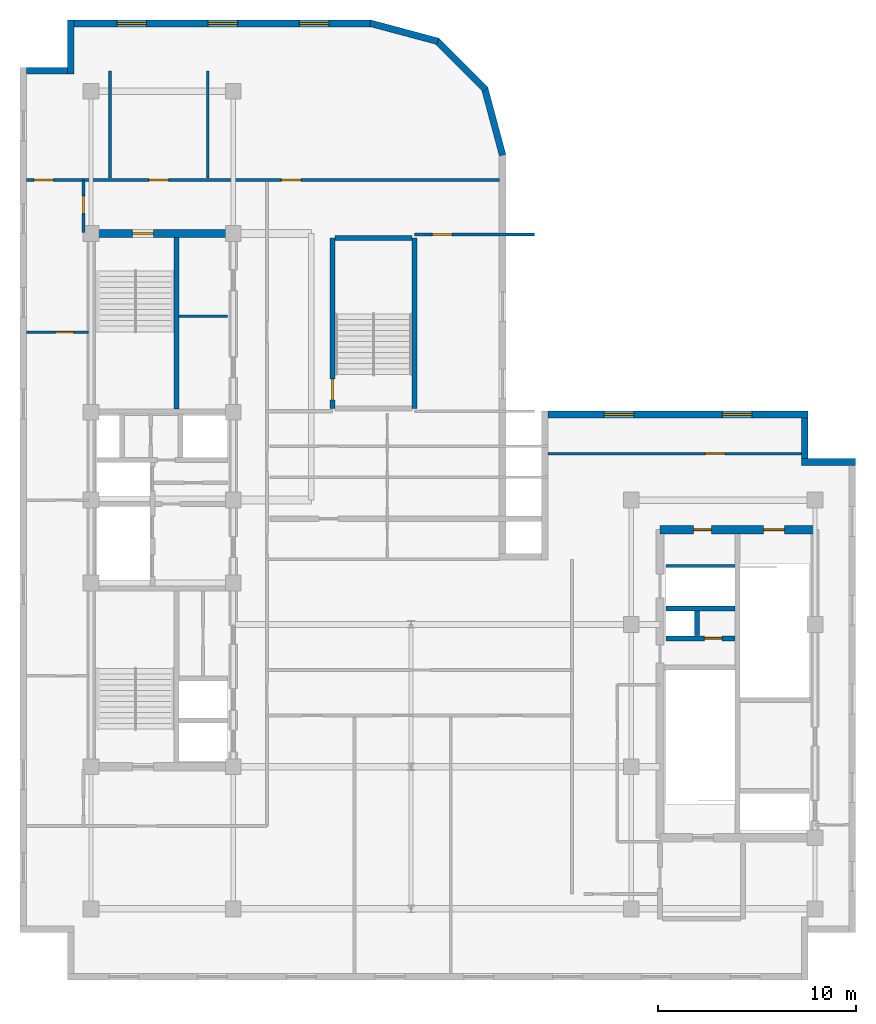
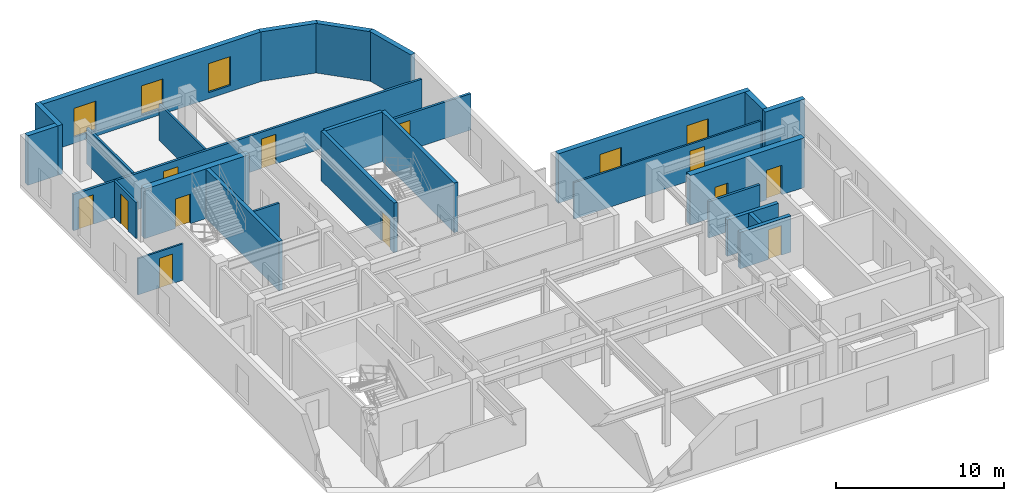
# One storey, part 6 of 10: 27 walls, 12 doors, 5 windows, 17 openings.
"""IFC4 building model written with IfcOpenShell, lengths in metres."""

import ifcopenshell
import ifcopenshell.guid

model = None  # the IFC model being written
_history = None  # IfcOwnerHistory: only IFC2X3 demands one
_inside = {}  # id of a spatial element -> (the spatial element, [elements in it])
_under = {}  # id of a project, library or spatial element -> (it, [spatial elements below it])
_declared = {}  # id of a project -> (the project, [libraries it declares])
_typed = {}  # id of a type object -> (the type object, [elements of that type])
_made_of = {}  # id of a material, layer set ... -> (it, [elements and type objects made of it])


def new_model(schema):
    """Start an empty IFC model of exactly this schema.

    Asked for "IFC4X3", IfcOpenShell would pick the latest addendum, in which some entities
    have other attributes; the version numbers below select the first issue.
    IFC2X3 requires an IfcOwnerHistory on every rooted entity: one is made here for all.
    """
    global model, _history
    if schema == "IFC4X3":
        model = ifcopenshell.file(schema_version=(4, 3, 0, 0))
    else:
        model = ifcopenshell.file(schema=schema)
    _inside.clear()
    _under.clear()
    _declared.clear()
    _typed.clear()
    _made_of.clear()
    _history = None
    if model.schema == "IFC2X3":
        org = make("IfcOrganization", Name="unknown")
        user = make(
            "IfcPersonAndOrganization",
            ThePerson=make("IfcPerson", FamilyName="unknown"),
            TheOrganization=org,
        )
        app = make(
            "IfcApplication",
            ApplicationDeveloper=org,
            Version="unknown",
            ApplicationFullName="unknown",
            ApplicationIdentifier="unknown",
        )
        _history = make(
            "IfcOwnerHistory",
            OwningUser=user,
            OwningApplication=app,
            ChangeAction="ADDED",
            CreationDate=0,
        )
    return model


def make(cls, **values):
    """One entity of the class cls with the attributes given. An attribute that is None is left unset."""
    return model.create_entity(
        cls, **{name: value for name, value in values.items() if value is not None}
    )


def entity(cls, *values):
    """Any entity or typed value of the class cls, its attributes in the order of the schema. None: left unset."""
    e = model.create_entity(cls)
    for i, value in enumerate(values):
        if value is not None:
            e[i] = value
    return e


def rooted(cls, **values):
    """An entity with a GlobalId (a new one), such as an element, a storey or a relation."""
    return make(cls, GlobalId=ifcopenshell.guid.new(), OwnerHistory=_history, **values)


def si_unit(unit_type, name, prefix=None):
    """IfcSIUnit, for example si_unit("LENGTHUNIT", "METRE", prefix="MILLI")."""
    return make("IfcSIUnit", UnitType=unit_type, Prefix=prefix, Name=name)


def converted_unit(unit_type, name, factor, base, dimensions=None, offset=None):
    """IfcConversionBasedUnit, such as the inch: factor (a typed value) times the base unit."""
    return make(
        "IfcConversionBasedUnit"
        if offset is None
        else "IfcConversionBasedUnitWithOffset",
        ConversionOffset=offset,
        Dimensions=None
        if dimensions is None
        else entity("IfcDimensionalExponents", *dimensions),
        UnitType=unit_type,
        Name=name,
        ConversionFactor=make(
            "IfcMeasureWithUnit", ValueComponent=factor, UnitComponent=base
        ),
    )


def assignment(units):
    """IfcUnitAssignment: the units of a project."""
    return None if units is None else make("IfcUnitAssignment", Units=units)


def point(xyz):
    """IfcCartesianPoint."""
    return None if xyz is None else make("IfcCartesianPoint", Coordinates=xyz)


def direction(xyz):
    """IfcDirection."""
    return None if xyz is None else make("IfcDirection", DirectionRatios=xyz)


def frame(location, z_axis=None, x_axis=None):
    """IfcAxis2Placement3D, a coordinate frame: its origin and axes. An axis left out is left unset."""
    return make(
        "IfcAxis2Placement3D",
        Location=point(location),
        Axis=direction(z_axis),
        RefDirection=direction(x_axis),
    )


def frame_2d(location, x_axis=None):
    """IfcAxis2Placement2D, a coordinate frame in the plane: its origin and x axis."""
    return make(
        "IfcAxis2Placement2D", Location=point(location), RefDirection=direction(x_axis)
    )


def origin_with_axes():
    """The frame at (0, 0, 0) with the z axis (0, 0, 1) and the x axis (1, 0, 0) written out."""
    return frame((0.0, 0.0, 0.0), z_axis=(0.0, 0.0, 1.0), x_axis=(1.0, 0.0, 0.0))


def origin_2d_with_axis():
    """The frame at (0, 0) in the plane with the x axis (1, 0) written out."""
    return frame_2d((0.0, 0.0), x_axis=(1.0, 0.0))


def place(relative_to, where):
    """IfcLocalPlacement: puts the frame where relative to a parent placement (None: the world)."""
    return make(
        "IfcLocalPlacement", PlacementRelTo=relative_to, RelativePlacement=where
    )


def context(
    kind, dimensions, precision=None, world=None, true_north=None, identifier=None
):
    """IfcGeometricRepresentationContext, for example the 3D "Model" context."""
    return make(
        "IfcGeometricRepresentationContext",
        ContextIdentifier=identifier,
        ContextType=kind,
        CoordinateSpaceDimension=dimensions,
        Precision=precision,
        WorldCoordinateSystem=world,
        TrueNorth=true_north,
    )


def subcontext(parent, identifier, kind, view, scale=None):
    """IfcGeometricRepresentationSubContext, for example "Body" below "Model"."""
    return make(
        "IfcGeometricRepresentationSubContext",
        ContextIdentifier=identifier,
        ContextType=kind,
        ParentContext=parent,
        TargetScale=scale,
        TargetView=view,
    )


def project(units=None, contexts=None):
    """IfcProject with its units and contexts."""
    return rooted(
        "IfcProject",
        Name="project",
        RepresentationContexts=contexts,
        UnitsInContext=assignment(units),
    )


def spatial(cls, under=None, at=None, **own):
    """A site, building, storey or space (cls), placed at a placement, below another one or the project."""
    s = rooted(cls, ObjectPlacement=at, **own)
    if under is not None:
        _under.setdefault(under.id(), (under, []))[1].append(s)
    return s


def polyline(points):
    """IfcPolyline through the points."""
    return make("IfcPolyline", Points=[point(p) for p in points])


def profile(cls, at=None, kind="AREA", **sizes):
    """A parametric profile (cls). Its sizes go by their IFC names, for example OverallWidth=200.0."""
    return make(cls, ProfileType=kind, Position=at, **sizes)


def rectangle(**sizes):
    """IfcRectangleProfileDef."""
    return profile("IfcRectangleProfileDef", **sizes)


def outline(outer, holes=None, kind="AREA"):
    """IfcArbitraryClosedProfileDef: a profile drawn as a closed curve; with holes, ...WithVoids."""
    if holes is None:
        return make("IfcArbitraryClosedProfileDef", ProfileType=kind, OuterCurve=outer)
    return make(
        "IfcArbitraryProfileDefWithVoids",
        ProfileType=kind,
        OuterCurve=outer,
        InnerCurves=holes,
    )


def extrude(swept, where, along, depth):
    """IfcExtrudedAreaSolid: the profile swept, set in the frame where, extruded along a direction by depth."""
    return make(
        "IfcExtrudedAreaSolid",
        SweptArea=swept,
        Position=where,
        ExtrudedDirection=direction(along),
        Depth=depth,
    )


def shape(context_of_items, identifier, shape_type, items):
    """IfcShapeRepresentation: the items that make up one representation, for example the "Body"."""
    return make(
        "IfcShapeRepresentation",
        ContextOfItems=context_of_items,
        RepresentationIdentifier=identifier,
        RepresentationType=shape_type,
        Items=items,
    )


def material(Name=None, Category=None):
    """IfcMaterial."""
    return make("IfcMaterial", Name=Name, Category=Category)


def layer(
    of_material, thickness, ventilated=None, Name=None, Category=None, Priority=None
):
    """IfcMaterialLayer: one layer of a wall or slab, of a material (None: an air gap)."""
    return make(
        "IfcMaterialLayer",
        Material=of_material,
        LayerThickness=thickness,
        IsVentilated=ventilated,
        Name=Name,
        Category=Category,
        Priority=Priority,
    )


def layer_set(layers, Name=None):
    """IfcMaterialLayerSet."""
    return make("IfcMaterialLayerSet", MaterialLayers=layers, LayerSetName=Name)


def made_of(thing, what):
    """Note that an element or type object is made of a material, layer set ...; save() writes the relation."""
    if what is not None:
        _made_of.setdefault(what.id(), (what, []))[1].append(thing)
    return thing


def type_object(cls, material=None, **own):
    """A type object (cls), such as IfcWallType, which elements share."""
    return made_of(rooted(cls, **own), material)


def element(
    cls,
    number,
    at=None,
    inside=None,
    cuts=None,
    type_object=None,
    material=None,
    context=None,
    identifier="Body",
    shape_type=None,
    held_by="IfcProductDefinitionShape",
    body=None,
    shapes=None,
    **own,
):
    """One element of the class cls, such as IfcWall. Its Tag is "e" and its number.

    at: its placement. inside: the storey or other place that contains it. cuts: it is an
    opening in that element (IfcRelVoidsElement). A single representation is given by context,
    identifier, shape_type and body (its items); several are given by shapes. held_by: the class
    of the entity that holds the representations. save() writes the other relations.
    """
    e = rooted(cls, Tag="e%d" % number, ObjectPlacement=at, **own)
    if body is not None:
        shapes = [shape(context, identifier, shape_type, body)]
    if shapes is not None:
        e.Representation = make(held_by, Representations=shapes)
    if inside is not None:
        _inside.setdefault(inside.id(), (inside, []))[1].append(e)
    if cuts is not None:
        rooted(
            "IfcRelVoidsElement", RelatingBuildingElement=cuts, RelatedOpeningElement=e
        )
    if type_object is not None:
        _typed.setdefault(type_object.id(), (type_object, []))[1].append(e)
    return made_of(e, material)


def fill(opening, filler):
    """IfcRelFillsElement: the door or window that sits in an opening."""
    return rooted(
        "IfcRelFillsElement",
        RelatingOpeningElement=opening,
        RelatedBuildingElement=filler,
    )


def aggregate(whole, parts):
    """IfcRelAggregates: a whole, such as a stair, and the parts it consists of."""
    return rooted("IfcRelAggregates", RelatingObject=whole, RelatedObjects=parts)


def save(model, path):
    """Write the relations noted so far, then the file.

    IfcRelAggregates (storeys below a building ...), IfcRelContainedInSpatialStructure (elements
    in a storey), IfcRelDefinesByType, IfcRelAssociatesMaterial and IfcRelDeclares: one each for
    every whole, place, type object, material and project.
    """
    for whole, parts in _under.values():
        aggregate(whole, parts)
    for where, things in _inside.values():
        rooted(
            "IfcRelContainedInSpatialStructure",
            RelatedElements=things,
            RelatingStructure=where,
        )
    for kind, things in _typed.values():
        rooted("IfcRelDefinesByType", RelatedObjects=things, RelatingType=kind)
    for what, things in _made_of.values():
        rooted("IfcRelAssociatesMaterial", RelatedObjects=things, RelatingMaterial=what)
    for by, libraries in _declared.values():
        rooted("IfcRelDeclares", RelatingContext=by, RelatedDefinitions=libraries)
    model.write(path)


model = new_model("IFC4")

# Units and contexts
model_context = context("Model", 3, precision=1e-05, world=origin_with_axes(), true_north=direction((0.0, 1.0)))
body_context = subcontext(model_context, "Body", "Model", "MODEL_VIEW")
ifc_project = project(units=[si_unit("LENGTHUNIT", "METRE"), si_unit("AREAUNIT", "SQUARE_METRE"), si_unit("VOLUMEUNIT", "CUBIC_METRE"), converted_unit("PLANEANGLEUNIT", "DEGREE", entity("IfcPlaneAngleMeasure", 0.017453292519943295), si_unit("PLANEANGLEUNIT", "RADIAN"), dimensions=[0, 0, 0, 0, 0, 0, 0]), si_unit("MASSUNIT", "GRAM", prefix="KILO"), si_unit("THERMODYNAMICTEMPERATUREUNIT", "KELVIN")], contexts=[model_context])

# Site, building, storey
site_placement = place(None, origin_with_axes())
site = spatial("IfcSite", under=ifc_project, at=site_placement, CompositionType="ELEMENT")
building_placement = place(site_placement, origin_with_axes())
building = spatial("IfcBuilding", under=site, at=building_placement, Name="Varnlund Millrace Tower", CompositionType="ELEMENT")
storey_placement = place(building_placement, frame((0.0, 0.0, 284.1), z_axis=(0.0, 0.0, 1.0), x_axis=(1.0, 0.0, 0.0)))
storey = spatial("IfcBuildingStorey", under=building, at=storey_placement, Name="L70", CompositionType="ELEMENT", Elevation=284.1)

# Wall, opening, door
ifc_material_1 = material(Name="Concrete C60/75", Category="concrete")
ifc_layer_1 = layer(ifc_material_1, 0.42, Name="Concrete C60/75")
ifc_layer_set_1 = layer_set([ifc_layer_1], Name="Concrete C60/75")
wall_type_1 = type_object("IfcWallType", Name="Type-CoreWall-Shear-420-C60", PredefinedType="SHEAR", material=ifc_layer_set_1)
wall_1_placement = place(storey_placement, frame((11.4, 37.8, 0.0), z_axis=(0.0, 0.0, 1.0), x_axis=(1.0, 0.0, 0.0)))
wall_1 = element("IfcWall", 1, at=wall_1_placement, inside=storey, type_object=wall_type_1, Name="Type-CoreWall-Shear-420-C60", PredefinedType="SHEAR", context=body_context, shape_type="SweptSolid", body=[
    extrude(outline(polyline([(0.0, -0.21), (7.2, -0.21), (7.2, 0.21), (0.0, 0.21), (0.0, -0.21)])), origin_with_axes(), (0.0, 0.0, 1.0), 3.6),
])
opening_1_placement = place(wall_1_placement, frame((2.625, 0.0, 0.0), z_axis=(0.0, 0.0, 1.0), x_axis=(1.0, 0.0, 0.0)))
opening_1 = element("IfcOpeningElement", 2, at=opening_1_placement, cuts=wall_1, Name="Opening L70:DR-STA2", PredefinedType="OPENING", context=body_context, shape_type="SweptSolid", body=[
    extrude(rectangle(XDim=1.05, YDim=0.44, at=origin_2d_with_axis()), origin_with_axes(), (0.0, 0.0, 1.0), 2.15),
])
ifc_material_2 = material(Name="Fire-rated hollow steel door", Category="steel")
door_type_1 = type_object("IfcDoorType", Name="Type-FireDoor-Stair-1050X2150", OperationType="NOTDEFINED", PredefinedType="DOOR", material=ifc_material_2)
door_1_placement = place(wall_1_placement, frame((2.625, 0.0, 0.0), z_axis=(0.0, 0.0, 1.0), x_axis=(1.0, 0.0, 0.0)))
door_1 = element("IfcDoor", 3, at=door_1_placement, inside=storey, type_object=door_type_1, Name="Type-FireDoor-Stair-1050X2150", OperationType="SINGLE_SWING_RIGHT", OverallHeight=2.15, OverallWidth=1.05, PredefinedType="DOOR", context=body_context, shape_type="SweptSolid", body=[
    extrude(rectangle(XDim=1.05, YDim=0.09, at=origin_2d_with_axis()), origin_with_axes(), (0.0, 0.0, 1.0), 2.15),
])
fill(opening_1, door_1)

# Wall, openings, doors
wall_2_placement = place(storey_placement, frame((40.2, 22.8, 0.0), z_axis=(0.0, 0.0, 1.0), x_axis=(1.0, 0.0, 0.0)))
wall_2 = element("IfcWall", 4, at=wall_2_placement, inside=storey, type_object=wall_type_1, Name="Type-CoreWall-Shear-420-C60", PredefinedType="SHEAR", context=body_context, shape_type="SweptSolid", body=[
    extrude(outline(polyline([(0.0, -0.21), (7.85, -0.21), (7.85, 0.21), (0.0, 0.21), (0.0, -0.21)])), origin_with_axes(), (0.0, 0.0, 1.0), 3.6),
])
opening_2_placement = place(wall_2_placement, frame((5.775, 0.0, 0.0), z_axis=(0.0, 0.0, 1.0), x_axis=(1.0, 0.0, 0.0)))
opening_2 = element("IfcOpeningElement", 5, at=opening_2_placement, cuts=wall_2, Name="Opening L70:DR-STB2", PredefinedType="OPENING", context=body_context, shape_type="SweptSolid", body=[
    extrude(rectangle(XDim=1.05, YDim=0.44, at=origin_2d_with_axis()), origin_with_axes(), (0.0, 0.0, 1.0), 2.15),
])
opening_3_placement = place(wall_2_placement, frame((2.15, 0.0, 0.0), z_axis=(0.0, 0.0, 1.0), x_axis=(1.0, 0.0, 0.0)))
opening_3 = element("IfcOpeningElement", 6, at=opening_3_placement, cuts=wall_2, Name="Opening L70:DR-CB-NW", PredefinedType="OPENING", context=body_context, shape_type="SweptSolid", body=[
    extrude(rectangle(XDim=0.9, YDim=0.44, at=origin_2d_with_axis()), origin_with_axes(), (0.0, 0.0, 1.0), 2.15),
])
ifc_material_3 = material(Name="Fire-rated hollow steel service closet door", Category="steel")
door_type_2 = type_object("IfcDoorType", Name="Type-FireDoor-Closet-900X2150", OperationType="NOTDEFINED", PredefinedType="DOOR", material=ifc_material_3)
door_2_placement = place(wall_2_placement, frame((2.15, 0.0, 0.0), z_axis=(0.0, 0.0, 1.0), x_axis=(1.0, 0.0, 0.0)))
door_2 = element("IfcDoor", 7, at=door_2_placement, inside=storey, type_object=door_type_2, Name="Type-FireDoor-Closet-900X2150", OperationType="SINGLE_SWING_LEFT", OverallHeight=2.15, OverallWidth=0.9, PredefinedType="DOOR", context=body_context, shape_type="SweptSolid", body=[
    extrude(rectangle(XDim=0.9, YDim=0.09, at=origin_2d_with_axis()), origin_with_axes(), (0.0, 0.0, 1.0), 2.15),
])
fill(opening_3, door_2)
door_3_placement = place(wall_2_placement, frame((5.775, 0.0, 0.0), z_axis=(0.0, 0.0, 1.0), x_axis=(1.0, 0.0, 0.0)))
door_3 = element("IfcDoor", 8, at=door_3_placement, inside=storey, type_object=door_type_1, Name="Type-FireDoor-Stair-1050X2150", OperationType="SINGLE_SWING_RIGHT", OverallHeight=2.15, OverallWidth=1.05, PredefinedType="DOOR", context=body_context, shape_type="SweptSolid", body=[
    extrude(rectangle(XDim=1.05, YDim=0.09, at=origin_2d_with_axis()), origin_with_axes(), (0.0, 0.0, 1.0), 2.15),
])
fill(opening_2, door_3)

# Wall, openings, windows
ifc_material_4 = material(Name="Precast concrete C50/60", Category="concrete")
ifc_layer_2 = layer(ifc_material_4, 0.34, Name="Precast concrete C50/60")
ifc_layer_set_2 = layer_set([ifc_layer_2], Name="Precast concrete C50/60")
wall_type_2 = type_object("IfcWallType", Name="Type-ExtWall-Precast-Upper-340", PredefinedType="SOLIDWALL", material=ifc_layer_set_2)
wall_3_placement = place(storey_placement, frame((34.54, 28.63, 0.0), z_axis=(0.0, 0.0, 1.0), x_axis=(1.0, 0.0, 0.0)))
wall_3 = element("IfcWall", 9, at=wall_3_placement, inside=storey, type_object=wall_type_2, Name="Type-ExtWall-Precast-Upper-340", PredefinedType="SOLIDWALL", context=body_context, shape_type="SweptSolid", body=[
    extrude(outline(polyline([(0.0, -0.17), (13.16, -0.17), (13.16, 0.17), (0.0, 0.17), (0.0, -0.17)])), origin_with_axes(), (0.0, 0.0, 1.0), 3.6),
])
opening_4_placement = place(wall_3_placement, frame((3.59, 0.0, 0.45), z_axis=(0.0, 0.0, 1.0), x_axis=(1.0, 0.0, 0.0)))
opening_4 = element("IfcOpeningElement", 10, at=opening_4_placement, cuts=wall_3, Name="Opening L70:WN-01", PredefinedType="OPENING", context=body_context, shape_type="SweptSolid", body=[
    extrude(rectangle(XDim=1.5, YDim=0.36, at=origin_2d_with_axis()), origin_with_axes(), (0.0, 0.0, 1.0), 2.1),
])
opening_5_placement = place(wall_3_placement, frame((9.57, 0.0, 0.45), z_axis=(0.0, 0.0, 1.0), x_axis=(1.0, 0.0, 0.0)))
opening_5 = element("IfcOpeningElement", 11, at=opening_5_placement, cuts=wall_3, Name="Opening L70:WN-02", PredefinedType="OPENING", context=body_context, shape_type="SweptSolid", body=[
    extrude(rectangle(XDim=1.5, YDim=0.36, at=origin_2d_with_axis()), origin_with_axes(), (0.0, 0.0, 1.0), 2.1),
])
ifc_material_5 = material(Name="Argon low-e triple glazing in thermally broken bronze frame", Category="glass")
window_type = type_object("IfcWindowType", Name="Type-Window-Punched-1500X2100", PartitioningType="SINGLE_PANEL", PredefinedType="WINDOW", material=ifc_material_5)
window_1_placement = place(wall_3_placement, frame((3.59, 0.0, 0.45), z_axis=(0.0, 0.0, 1.0), x_axis=(1.0, 0.0, 0.0)))
window_1 = element("IfcWindow", 12, at=window_1_placement, inside=storey, type_object=window_type, Name="Type-Window-Punched-1500X2100", OverallHeight=2.1, OverallWidth=1.5, PredefinedType="WINDOW", context=body_context, shape_type="SweptSolid", body=[
    extrude(rectangle(XDim=1.5, YDim=0.09, at=origin_2d_with_axis()), origin_with_axes(), (0.0, 0.0, 1.0), 2.1),
])
fill(opening_4, window_1)
window_2_placement = place(wall_3_placement, frame((9.57, 0.0, 0.45), z_axis=(0.0, 0.0, 1.0), x_axis=(1.0, 0.0, 0.0)))
window_2 = element("IfcWindow", 13, at=window_2_placement, inside=storey, type_object=window_type, Name="Type-Window-Punched-1500X2100", OverallHeight=2.1, OverallWidth=1.5, PredefinedType="WINDOW", context=body_context, shape_type="SweptSolid", body=[
    extrude(rectangle(XDim=1.5, YDim=0.09, at=origin_2d_with_axis()), origin_with_axes(), (0.0, 0.0, 1.0), 2.1),
])
fill(opening_5, window_2)

# Walls
wall_4_placement = place(storey_placement, frame((47.53, 28.46, 0.0), z_axis=(0.0, 0.0, 1.0), x_axis=(0.0, -1.0, 0.0)))
element("IfcWall", 14, at=wall_4_placement, inside=storey, type_object=wall_type_2, Name="Type-ExtWall-Precast-Upper-340", PredefinedType="SOLIDWALL", context=body_context, shape_type="SweptSolid", body=[
    extrude(outline(polyline([(0.0, -0.17), (2.06, -0.17), (2.06, 0.17), (0.0, 0.17), (0.0, -0.17)])), origin_with_axes(), (0.0, 0.0, 1.0), 3.6),
])
wall_5_placement = place(storey_placement, frame((47.36, 26.23, 0.0), z_axis=(0.0, 0.0, 1.0), x_axis=(1.0, 0.0, 0.0)))
element("IfcWall", 15, at=wall_5_placement, inside=storey, type_object=wall_type_2, Name="Type-ExtWall-Precast-Upper-340", PredefinedType="SOLIDWALL", context=body_context, shape_type="SweptSolid", body=[
    extrude(outline(polyline([(0.0, -0.17), (2.74, -0.17), (2.74, 0.17), (0.0, 0.17), (0.0, -0.17)])), origin_with_axes(), (0.0, 0.0, 1.0), 3.6),
])
wall_6_placement = place(storey_placement, frame((8.14, 46.03, 0.0), z_axis=(0.0, 0.0, 1.0), x_axis=(1.0, 0.0, 0.0)))
element("IfcWall", 16, at=wall_6_placement, inside=storey, type_object=wall_type_2, Name="Type-ExtWall-Precast-Upper-340", PredefinedType="SOLIDWALL", context=body_context, shape_type="SweptSolid", body=[
    extrude(outline(polyline([(0.0, -0.17), (2.06, -0.17), (2.06, 0.17), (0.0, 0.17), (0.0, -0.17)])), origin_with_axes(), (0.0, 0.0, 1.0), 3.6),
])
wall_7_placement = place(storey_placement, frame((10.37, 45.86, 0.0), z_axis=(0.0, 0.0, 1.0), x_axis=(0.0, 1.0, 0.0)))
element("IfcWall", 17, at=wall_7_placement, inside=storey, type_object=wall_type_2, Name="Type-ExtWall-Precast-Upper-340", PredefinedType="SOLIDWALL", context=body_context, shape_type="SweptSolid", body=[
    extrude(outline(polyline([(0.0, -0.17), (2.74, -0.17), (2.74, 0.17), (0.0, 0.17), (0.0, -0.17)])), origin_with_axes(), (0.0, 0.0, 1.0), 3.6),
])

# Wall, openings, windows
wall_8_placement = place(storey_placement, frame((10.54, 48.43, 0.0), z_axis=(0.0, 0.0, 1.0), x_axis=(1.0, 0.0, 0.0)))
wall_8 = element("IfcWall", 18, at=wall_8_placement, inside=storey, type_object=wall_type_2, Name="Type-ExtWall-Precast-Upper-340", PredefinedType="SOLIDWALL", context=body_context, shape_type="SweptSolid", body=[
    extrude(outline(polyline([(0.0, -0.17), (15.06, -0.17), (15.06, 0.17), (0.0, 0.17), (0.0, -0.17)])), origin_with_axes(), (0.0, 0.0, 1.0), 3.6),
])
opening_6_placement = place(wall_8_placement, frame((2.91, 0.0, 0.45), z_axis=(0.0, 0.0, 1.0), x_axis=(1.0, 0.0, 0.0)))
opening_6 = element("IfcOpeningElement", 19, at=opening_6_placement, cuts=wall_8, Name="Opening L70:WN-23", PredefinedType="OPENING", context=body_context, shape_type="SweptSolid", body=[
    extrude(rectangle(XDim=1.5, YDim=0.36, at=origin_2d_with_axis()), origin_with_axes(), (0.0, 0.0, 1.0), 2.1),
])
opening_7_placement = place(wall_8_placement, frame((7.53, 0.0, 0.45), z_axis=(0.0, 0.0, 1.0), x_axis=(1.0, 0.0, 0.0)))
opening_7 = element("IfcOpeningElement", 20, at=opening_7_placement, cuts=wall_8, Name="Opening L70:WN-24", PredefinedType="OPENING", context=body_context, shape_type="SweptSolid", body=[
    extrude(rectangle(XDim=1.5, YDim=0.36, at=origin_2d_with_axis()), origin_with_axes(), (0.0, 0.0, 1.0), 2.1),
])
opening_8_placement = place(wall_8_placement, frame((12.15, 0.0, 0.45), z_axis=(0.0, 0.0, 1.0), x_axis=(1.0, 0.0, 0.0)))
opening_8 = element("IfcOpeningElement", 21, at=opening_8_placement, cuts=wall_8, Name="Opening L70:WN-25", PredefinedType="OPENING", context=body_context, shape_type="SweptSolid", body=[
    extrude(rectangle(XDim=1.5, YDim=0.36, at=origin_2d_with_axis()), origin_with_axes(), (0.0, 0.0, 1.0), 2.1),
])
window_3_placement = place(wall_8_placement, frame((2.91, 0.0, 0.45), z_axis=(0.0, 0.0, 1.0), x_axis=(1.0, 0.0, 0.0)))
window_3 = element("IfcWindow", 22, at=window_3_placement, inside=storey, type_object=window_type, Name="Type-Window-Punched-1500X2100", OverallHeight=2.1, OverallWidth=1.5, PredefinedType="WINDOW", context=body_context, shape_type="SweptSolid", body=[
    extrude(rectangle(XDim=1.5, YDim=0.09, at=origin_2d_with_axis()), origin_with_axes(), (0.0, 0.0, 1.0), 2.1),
])
fill(opening_6, window_3)
window_4_placement = place(wall_8_placement, frame((7.53, 0.0, 0.45), z_axis=(0.0, 0.0, 1.0), x_axis=(1.0, 0.0, 0.0)))
window_4 = element("IfcWindow", 23, at=window_4_placement, inside=storey, type_object=window_type, Name="Type-Window-Punched-1500X2100", OverallHeight=2.1, OverallWidth=1.5, PredefinedType="WINDOW", context=body_context, shape_type="SweptSolid", body=[
    extrude(rectangle(XDim=1.5, YDim=0.09, at=origin_2d_with_axis()), origin_with_axes(), (0.0, 0.0, 1.0), 2.1),
])
fill(opening_7, window_4)
window_5_placement = place(wall_8_placement, frame((12.15, 0.0, 0.45), z_axis=(0.0, 0.0, 1.0), x_axis=(1.0, 0.0, 0.0)))
window_5 = element("IfcWindow", 24, at=window_5_placement, inside=storey, type_object=window_type, Name="Type-Window-Punched-1500X2100", OverallHeight=2.1, OverallWidth=1.5, PredefinedType="WINDOW", context=body_context, shape_type="SweptSolid", body=[
    extrude(rectangle(XDim=1.5, YDim=0.09, at=origin_2d_with_axis()), origin_with_axes(), (0.0, 0.0, 1.0), 2.1),
])
fill(opening_8, window_5)

# Walls
wall_9_placement = place(storey_placement, frame((25.537, 48.441, 0.0), z_axis=(0.0, 0.0, 1.0), x_axis=(0.965934, -0.258788, 0.0)))
element("IfcWall", 25, at=wall_9_placement, inside=storey, type_object=wall_type_2, Name="Type-ExtWall-Precast-Upper-340", PredefinedType="SOLIDWALL", context=body_context, shape_type="SweptSolid", body=[
    extrude(outline(polyline([(0.0, -0.17), (3.539579, -0.17), (3.539579, 0.17), (0.0, 0.17), (0.0, -0.17)])), origin_with_axes(), (0.0, 0.0, 1.0), 3.6),
])
wall_10_placement = place(storey_placement, frame((28.866, 47.583, 0.0), z_axis=(0.0, 0.0, 1.0), x_axis=(0.707107, -0.707107, 0.0)))
element("IfcWall", 26, at=wall_10_placement, inside=storey, type_object=wall_type_2, Name="Type-ExtWall-Precast-Upper-340", PredefinedType="SOLIDWALL", context=body_context, shape_type="SweptSolid", body=[
    extrude(outline(polyline([(0.0, -0.17), (3.539777, -0.17), (3.539777, 0.17), (0.0, 0.17), (0.0, -0.17)])), origin_with_axes(), (0.0, 0.0, 1.0), 3.6),
])
wall_11_placement = place(storey_placement, frame((31.32, 45.175, 0.0), z_axis=(0.0, 0.0, 1.0), x_axis=(0.258788, -0.965934, 0.0)))
element("IfcWall", 27, at=wall_11_placement, inside=storey, type_object=wall_type_2, Name="Type-ExtWall-Precast-Upper-340", PredefinedType="SOLIDWALL", context=body_context, shape_type="SweptSolid", body=[
    extrude(outline(polyline([(0.0, -0.17), (3.539579, -0.17), (3.539579, 0.17), (0.0, 0.17), (0.0, -0.17)])), origin_with_axes(), (0.0, 0.0, 1.0), 3.6),
])
ifc_material_6 = material(Name="Fire-rated gypsum board on cold-formed steel framing", Category="steel")
ifc_layer_3 = layer(ifc_material_6, 0.16, Name="Fire-rated gypsum board on cold-formed steel framing")
ifc_layer_set_3 = layer_set([ifc_layer_3], Name="Fire-rated gypsum board on cold-formed steel framing")
wall_type_3 = type_object("IfcWallType", Name="Type-Partition-Corridor-160", PredefinedType="PARTITIONING", material=ifc_layer_set_3)
wall_12_placement = place(storey_placement, frame((40.5, 20.96, 0.0), z_axis=(0.0, 0.0, 1.0), x_axis=(1.0, 0.0, 0.0)))
element("IfcWall", 28, at=wall_12_placement, inside=storey, type_object=wall_type_3, Name="Type-Partition-Corridor-160", PredefinedType="PARTITIONING", context=body_context, shape_type="SweptSolid", body=[
    extrude(outline(polyline([(0.0, -0.08), (3.5, -0.08), (3.5, 0.08), (0.0, 0.08), (0.0, -0.08)])), origin_with_axes(), (0.0, 0.0, 1.0), 2.64),
])

# Wall, openings, doors
wall_13_placement = place(storey_placement, frame((8.135, 40.5, 0.0), z_axis=(0.0, 0.0, 1.0), x_axis=(1.0, 0.0, 0.0)))
wall_13 = element("IfcWall", 29, at=wall_13_placement, inside=storey, type_object=wall_type_3, Name="Type-Partition-Corridor-160", PredefinedType="PARTITIONING", context=body_context, shape_type="SweptSolid", body=[
    extrude(outline(polyline([(0.0, -0.08), (23.93, -0.08), (23.93, 0.08), (0.0, 0.08), (0.0, -0.08)])), origin_with_axes(), (0.0, 0.0, 1.0), 2.64),
])
opening_9_placement = place(wall_13_placement, frame((0.868, 0.0, 0.0), z_axis=(0.0, 0.0, 1.0), x_axis=(1.0, 0.0, 0.0)))
opening_9 = element("IfcOpeningElement", 30, at=opening_9_placement, cuts=wall_13, Name="Opening L70:DR-WAN-01", PredefinedType="OPENING", context=body_context, shape_type="SweptSolid", body=[
    extrude(rectangle(XDim=1.0, YDim=0.18, at=origin_2d_with_axis()), origin_with_axes(), (0.0, 0.0, 1.0), 2.15),
])
opening_10_placement = place(wall_13_placement, frame((6.6955, 0.0, 0.0), z_axis=(0.0, 0.0, 1.0), x_axis=(1.0, 0.0, 0.0)))
opening_10 = element("IfcOpeningElement", 31, at=opening_10_placement, cuts=wall_13, Name="Opening L70:DR-WAN-02", PredefinedType="OPENING", context=body_context, shape_type="SweptSolid", body=[
    extrude(rectangle(XDim=1.0, YDim=0.18, at=origin_2d_with_axis()), origin_with_axes(), (0.0, 0.0, 1.0), 2.15),
])
opening_11_placement = place(wall_13_placement, frame((13.403, 0.0, 0.0), z_axis=(0.0, 0.0, 1.0), x_axis=(1.0, 0.0, 0.0)))
opening_11 = element("IfcOpeningElement", 32, at=opening_11_placement, cuts=wall_13, Name="Opening L70:DR-WAN-03", PredefinedType="OPENING", context=body_context, shape_type="SweptSolid", body=[
    extrude(rectangle(XDim=1.0, YDim=0.18, at=origin_2d_with_axis()), origin_with_axes(), (0.0, 0.0, 1.0), 2.15),
])
ifc_material_7 = material(Name="Solid-core white oak and bronze frame door")
door_type_3 = type_object("IfcDoorType", Name="Type-IntDoor-Office-1000X2150", OperationType="NOTDEFINED", PredefinedType="DOOR", material=ifc_material_7)
door_4_placement = place(wall_13_placement, frame((0.868, 0.0, 0.0), z_axis=(0.0, 0.0, 1.0), x_axis=(1.0, 0.0, 0.0)))
door_4 = element("IfcDoor", 33, at=door_4_placement, inside=storey, type_object=door_type_3, Name="Type-IntDoor-Office-1000X2150", OperationType="SINGLE_SWING_LEFT", OverallHeight=2.15, OverallWidth=1.0, PredefinedType="DOOR", context=body_context, shape_type="SweptSolid", body=[
    extrude(rectangle(XDim=1.0, YDim=0.09, at=origin_2d_with_axis()), origin_with_axes(), (0.0, 0.0, 1.0), 2.15),
])
fill(opening_9, door_4)
door_5_placement = place(wall_13_placement, frame((6.6955, 0.0, 0.0), z_axis=(0.0, 0.0, 1.0), x_axis=(1.0, 0.0, 0.0)))
door_5 = element("IfcDoor", 34, at=door_5_placement, inside=storey, type_object=door_type_3, Name="Type-IntDoor-Office-1000X2150", OperationType="SINGLE_SWING_RIGHT", OverallHeight=2.15, OverallWidth=1.0, PredefinedType="DOOR", context=body_context, shape_type="SweptSolid", body=[
    extrude(rectangle(XDim=1.0, YDim=0.09, at=origin_2d_with_axis()), origin_with_axes(), (0.0, 0.0, 1.0), 2.15),
])
fill(opening_10, door_5)
door_6_placement = place(wall_13_placement, frame((13.403, 0.0, 0.0), z_axis=(0.0, 0.0, 1.0), x_axis=(1.0, 0.0, 0.0)))
door_6 = element("IfcDoor", 35, at=door_6_placement, inside=storey, type_object=door_type_3, Name="Type-IntDoor-Office-1000X2150", OperationType="SINGLE_SWING_LEFT", OverallHeight=2.15, OverallWidth=1.0, PredefinedType="DOOR", context=body_context, shape_type="SweptSolid", body=[
    extrude(rectangle(XDim=1.0, YDim=0.09, at=origin_2d_with_axis()), origin_with_axes(), (0.0, 0.0, 1.0), 2.15),
])
fill(opening_11, door_6)

# Wall, opening, door
wall_14_placement = place(storey_placement, frame((11.02, 37.85, 0.0), z_axis=(0.0, 0.0, 1.0), x_axis=(0.0, 1.0, 0.0)))
wall_14 = element("IfcWall", 36, at=wall_14_placement, inside=storey, type_object=wall_type_3, Name="Type-Partition-Corridor-160", PredefinedType="PARTITIONING", context=body_context, shape_type="SweptSolid", body=[
    extrude(outline(polyline([(0.0, -0.08), (2.65, -0.08), (2.65, 0.08), (0.0, 0.08), (0.0, -0.08)])), origin_with_axes(), (0.0, 0.0, 1.0), 2.64),
])
opening_12_placement = place(wall_14_placement, frame((1.4, 0.0, 0.0), z_axis=(0.0, 0.0, 1.0), x_axis=(1.0, 0.0, 0.0)))
opening_12 = element("IfcOpeningElement", 37, at=opening_12_placement, cuts=wall_14, Name="Opening L70:DR-WU-N1", PredefinedType="OPENING", context=body_context, shape_type="SweptSolid", body=[
    extrude(rectangle(XDim=0.9, YDim=0.18, at=origin_2d_with_axis()), origin_with_axes(), (0.0, 0.0, 1.0), 2.15),
])
ifc_material_8 = material(Name="Painted steel riser and closet door", Category="steel")
door_type_4 = type_object("IfcDoorType", Name="Type-IntDoor-Closet-900X2150", OperationType="NOTDEFINED", PredefinedType="DOOR", material=ifc_material_8)
door_7_placement = place(wall_14_placement, frame((1.4, 0.0, 0.0), z_axis=(0.0, 0.0, 1.0), x_axis=(1.0, 0.0, 0.0)))
door_7 = element("IfcDoor", 38, at=door_7_placement, inside=storey, type_object=door_type_4, Name="Type-IntDoor-Closet-900X2150", OperationType="SINGLE_SWING_RIGHT", OverallHeight=2.15, OverallWidth=0.9, PredefinedType="DOOR", context=body_context, shape_type="SweptSolid", body=[
    extrude(rectangle(XDim=0.9, YDim=0.09, at=origin_2d_with_axis()), origin_with_axes(), (0.0, 0.0, 1.0), 2.15),
])
fill(opening_12, door_7)

wall_15_placement = place(storey_placement, frame((27.78, 37.75, 0.0), z_axis=(0.0, 0.0, 1.0), x_axis=(1.0, 0.0, 0.0)))
wall_15 = element("IfcWall", 39, at=wall_15_placement, inside=storey, type_object=wall_type_3, Name="Type-Partition-Corridor-160", PredefinedType="PARTITIONING", context=body_context, shape_type="SweptSolid", body=[
    extrude(outline(polyline([(0.0, -0.08), (6.06, -0.08), (6.06, 0.08), (0.0, 0.08), (0.0, -0.08)])), origin_with_axes(), (0.0, 0.0, 1.0), 2.64),
])
opening_13_placement = place(wall_15_placement, frame((1.4, 0.0, 0.0), z_axis=(0.0, 0.0, 1.0), x_axis=(1.0, 0.0, 0.0)))
opening_13 = element("IfcOpeningElement", 40, at=opening_13_placement, cuts=wall_15, Name="Opening L70:DR-L70-NE", PredefinedType="OPENING", context=body_context, shape_type="SweptSolid", body=[
    extrude(rectangle(XDim=1.0, YDim=0.18, at=origin_2d_with_axis()), origin_with_axes(), (0.0, 0.0, 1.0), 2.15),
])
door_8_placement = place(wall_15_placement, frame((1.4, 0.0, 0.0), z_axis=(0.0, 0.0, 1.0), x_axis=(1.0, 0.0, 0.0)))
door_8 = element("IfcDoor", 41, at=door_8_placement, inside=storey, type_object=door_type_3, Name="Type-IntDoor-Office-1000X2150", OperationType="SINGLE_SWING_LEFT", OverallHeight=2.15, OverallWidth=1.0, PredefinedType="DOOR", context=body_context, shape_type="SweptSolid", body=[
    extrude(rectangle(XDim=1.0, YDim=0.09, at=origin_2d_with_axis()), origin_with_axes(), (0.0, 0.0, 1.0), 2.15),
])
fill(opening_13, door_8)

# Wall
ifc_material_9 = material(Name="Acoustic STC-50 gypsum board partition", Category="gypsum")
ifc_layer_4 = layer(ifc_material_9, 0.15, Name="Acoustic STC-50 gypsum board partition")
ifc_layer_set_4 = layer_set([ifc_layer_4], Name="Acoustic STC-50 gypsum board partition")
wall_type_4 = type_object("IfcWallType", Name="Type-Partition-Demising-150", PredefinedType="PARTITIONING", material=ifc_layer_set_4)
wall_16_placement = place(storey_placement, frame((12.355, 40.6, 0.0), z_axis=(0.0, 0.0, 1.0), x_axis=(0.0, 1.0, 0.0)))
element("IfcWall", 42, at=wall_16_placement, inside=storey, type_object=wall_type_4, Name="Type-Partition-Demising-150", PredefinedType="PARTITIONING", context=body_context, shape_type="SweptSolid", body=[
    extrude(outline(polyline([(0.0, -0.075), (5.42, -0.075), (5.42, 0.075), (0.0, 0.075), (0.0, -0.075)])), origin_with_axes(), (0.0, 0.0, 1.0), 2.64),
])

# Wall, opening, door
ifc_material_10 = material(Name="Gypsum board tenant partition", Category="gypsum")
ifc_layer_5 = layer(ifc_material_10, 0.125, Name="Gypsum board tenant partition")
ifc_layer_set_5 = layer_set([ifc_layer_5], Name="Gypsum board tenant partition")
wall_type_5 = type_object("IfcWallType", Name="Type-Partition-Tenant-125", PredefinedType="PARTITIONING", material=ifc_layer_set_5)
wall_17_placement = place(storey_placement, frame((8.135, 32.8, 0.0), z_axis=(0.0, 0.0, 1.0), x_axis=(1.0, 0.0, 0.0)))
wall_17 = element("IfcWall", 43, at=wall_17_placement, inside=storey, type_object=wall_type_5, Name="Type-Partition-Tenant-125", PredefinedType="PARTITIONING", context=body_context, shape_type="SweptSolid", body=[
    extrude(outline(polyline([(0.0, -0.0625), (3.135, -0.0625), (3.135, 0.0625), (0.0, 0.0625), (0.0, -0.0625)])), origin_with_axes(), (0.0, 0.0, 1.0), 2.64),
])
opening_14_placement = place(wall_17_placement, frame((1.925, 0.0, 0.0), z_axis=(0.0, 0.0, 1.0), x_axis=(1.0, 0.0, 0.0)))
opening_14 = element("IfcOpeningElement", 44, at=opening_14_placement, cuts=wall_17, Name="Opening L70:DR-WUI-3", PredefinedType="OPENING", context=body_context, shape_type="SweptSolid", body=[
    extrude(rectangle(XDim=0.9, YDim=0.145, at=origin_2d_with_axis()), origin_with_axes(), (0.0, 0.0, 1.0), 2.15),
])
door_9_placement = place(wall_17_placement, frame((1.925, 0.0, 0.0), z_axis=(0.0, 0.0, 1.0), x_axis=(1.0, 0.0, 0.0)))
door_9 = element("IfcDoor", 45, at=door_9_placement, inside=storey, type_object=door_type_4, Name="Type-IntDoor-Closet-900X2150", OperationType="SINGLE_SWING_LEFT", OverallHeight=2.15, OverallWidth=0.9, PredefinedType="DOOR", context=body_context, shape_type="SweptSolid", body=[
    extrude(rectangle(XDim=0.9, YDim=0.075, at=origin_2d_with_axis()), origin_with_axes(), (0.0, 0.0, 1.0), 2.15),
])
fill(opening_14, door_9)

# Wall
wall_18_placement = place(storey_placement, frame((17.306, 40.6, 0.0), z_axis=(0.0, 0.0, 1.0), x_axis=(0.0, 1.0, 0.0)))
element("IfcWall", 46, at=wall_18_placement, inside=storey, type_object=wall_type_5, Name="Type-Partition-Tenant-125", PredefinedType="PARTITIONING", context=body_context, shape_type="SweptSolid", body=[
    extrude(outline(polyline([(0.0, -0.0625), (5.42, -0.0625), (5.42, 0.0625), (0.0, 0.0625), (0.0, -0.0625)])), origin_with_axes(), (0.0, 0.0, 1.0), 2.64),
])

# Wall, opening, door
wall_19_placement = place(storey_placement, frame((34.535, 26.65, 0.0), z_axis=(0.0, 0.0, 1.0), x_axis=(1.0, 0.0, 0.0)))
wall_19 = element("IfcWall", 47, at=wall_19_placement, inside=storey, type_object=wall_type_5, Name="Type-Partition-Tenant-125", PredefinedType="PARTITIONING", context=body_context, shape_type="SweptSolid", body=[
    extrude(outline(polyline([(0.0, -0.0625), (12.995, -0.0625), (12.995, 0.0625), (0.0, 0.0625), (0.0, -0.0625)])), origin_with_axes(), (0.0, 0.0, 1.0), 2.64),
])
opening_15_placement = place(wall_19_placement, frame((8.465, 0.0, 0.0), z_axis=(0.0, 0.0, 1.0), x_axis=(1.0, 0.0, 0.0)))
opening_15 = element("IfcOpeningElement", 48, at=opening_15_placement, cuts=wall_19, Name="Opening L70:DR-WBN-01", PredefinedType="OPENING", context=body_context, shape_type="SweptSolid", body=[
    extrude(rectangle(XDim=1.0, YDim=0.145, at=origin_2d_with_axis()), origin_with_axes(), (0.0, 0.0, 1.0), 2.15),
])
door_10_placement = place(wall_19_placement, frame((8.465, 0.0, 0.0), z_axis=(0.0, 0.0, 1.0), x_axis=(1.0, 0.0, 0.0)))
door_10 = element("IfcDoor", 49, at=door_10_placement, inside=storey, type_object=door_type_3, Name="Type-IntDoor-Office-1000X2150", OperationType="SINGLE_SWING_RIGHT", OverallHeight=2.15, OverallWidth=1.0, PredefinedType="DOOR", context=body_context, shape_type="SweptSolid", body=[
    extrude(rectangle(XDim=1.0, YDim=0.075, at=origin_2d_with_axis()), origin_with_axes(), (0.0, 0.0, 1.0), 2.15),
])
fill(opening_15, door_10)

# Wall
ifc_material_11 = material(Name="Moisture-resistant gypsum restroom partition", Category="gypsum")
ifc_layer_6 = layer(ifc_material_11, 0.14, Name="Moisture-resistant gypsum restroom partition")
ifc_layer_set_6 = layer_set([ifc_layer_6], Name="Moisture-resistant gypsum restroom partition")
wall_type_6 = type_object("IfcWallType", Name="Type-Partition-Wet-140", PredefinedType="PARTITIONING", material=ifc_layer_set_6)
wall_20_placement = place(storey_placement, frame((15.84, 33.6, 0.0), z_axis=(0.0, 0.0, 1.0), x_axis=(1.0, 0.0, 0.0)))
element("IfcWall", 50, at=wall_20_placement, inside=storey, type_object=wall_type_6, Name="Type-Partition-Wet-140", PredefinedType="PARTITIONING", context=body_context, shape_type="SweptSolid", body=[
    extrude(outline(polyline([(0.0, -0.07), (2.46, -0.07), (2.46, 0.07), (0.0, 0.07), (0.0, -0.07)])), origin_with_axes(), (0.0, 0.0, 1.0), 2.64),
])

# Wall, opening, door
ifc_layer_7 = layer(ifc_material_1, 0.25, Name="Concrete C60/75")
ifc_layer_set_7 = layer_set([ifc_layer_7], Name="Concrete C60/75")
wall_type_7 = type_object("IfcWallType", Name="Type-ShaftWall-Fire-250", PredefinedType="SOLIDWALL", material=ifc_layer_set_7)
wall_21_placement = place(storey_placement, frame((40.5, 17.3, 0.0), z_axis=(0.0, 0.0, 1.0), x_axis=(1.0, 0.0, 0.0)))
wall_21 = element("IfcWall", 51, at=wall_21_placement, inside=storey, type_object=wall_type_7, Name="Type-ShaftWall-Fire-250", PredefinedType="SOLIDWALL", context=body_context, shape_type="SweptSolid", body=[
    extrude(outline(polyline([(0.0, -0.125), (3.5, -0.125), (3.5, 0.125), (0.0, 0.125), (0.0, -0.125)])), origin_with_axes(), (0.0, 0.0, 1.0), 2.64),
])
opening_16_placement = place(wall_21_placement, frame((2.4, 0.0, 0.0), z_axis=(0.0, 0.0, 1.0), x_axis=(1.0, 0.0, 0.0)))
opening_16 = element("IfcOpeningElement", 52, at=opening_16_placement, cuts=wall_21, Name="Opening L70:DR-CB-ELC", PredefinedType="OPENING", context=body_context, shape_type="SweptSolid", body=[
    extrude(rectangle(XDim=0.9, YDim=0.27, at=origin_2d_with_axis()), origin_with_axes(), (0.0, 0.0, 1.0), 2.15),
])
door_11_placement = place(wall_21_placement, frame((2.4, 0.0, 0.0), z_axis=(0.0, 0.0, 1.0), x_axis=(1.0, 0.0, 0.0)))
door_11 = element("IfcDoor", 53, at=door_11_placement, inside=storey, type_object=door_type_2, Name="Type-FireDoor-Closet-900X2150", OperationType="SINGLE_SWING_LEFT", OverallHeight=2.15, OverallWidth=0.9, PredefinedType="DOOR", context=body_context, shape_type="SweptSolid", body=[
    extrude(rectangle(XDim=0.9, YDim=0.09, at=origin_2d_with_axis()), origin_with_axes(), (0.0, 0.0, 1.0), 2.15),
])
fill(opening_16, door_11)

# Walls
wall_22_placement = place(storey_placement, frame((40.5, 18.8, 0.0), z_axis=(0.0, 0.0, 1.0), x_axis=(1.0, 0.0, 0.0)))
element("IfcWall", 54, at=wall_22_placement, inside=storey, type_object=wall_type_7, Name="Type-ShaftWall-Fire-250", PredefinedType="SOLIDWALL", context=body_context, shape_type="SweptSolid", body=[
    extrude(outline(polyline([(0.0, -0.125), (3.5, -0.125), (3.5, 0.125), (0.0, 0.125), (0.0, -0.125)])), origin_with_axes(), (0.0, 0.0, 1.0), 2.64),
])
wall_23_placement = place(storey_placement, frame((42.075, 17.43, 0.0), z_axis=(0.0, 0.0, 1.0), x_axis=(0.0, 1.0, 0.0)))
element("IfcWall", 55, at=wall_23_placement, inside=storey, type_object=wall_type_7, Name="Type-ShaftWall-Fire-250", PredefinedType="SOLIDWALL", context=body_context, shape_type="SweptSolid", body=[
    extrude(outline(polyline([(0.0, -0.125), (1.24, -0.125), (1.24, 0.125), (0.0, 0.125), (0.0, -0.125)])), origin_with_axes(), (0.0, 0.0, 1.0), 2.64),
])
wall_type_8 = type_object("IfcWallType", Name="Type-StairWall-Shear-250", PredefinedType="SHEAR", material=ifc_layer_set_7)
wall_24_placement = place(storey_placement, frame((15.725, 28.9, 0.0), z_axis=(0.0, 0.0, 1.0), x_axis=(0.0, 1.0, 0.0)))
element("IfcWall", 56, at=wall_24_placement, inside=storey, type_object=wall_type_8, Name="Type-StairWall-Shear-250", PredefinedType="SHEAR", context=body_context, shape_type="SweptSolid", body=[
    extrude(outline(polyline([(0.0, -0.125), (8.69, -0.125), (8.69, 0.125), (0.0, 0.125), (0.0, -0.125)])), origin_with_axes(), (0.0, 0.0, 1.0), 3.6),
])

# Wall, opening, door
wall_25_placement = place(storey_placement, frame((23.625, 28.925, 0.0), z_axis=(0.0, 0.0, 1.0), x_axis=(0.0, 1.0, 0.0)))
wall_25 = element("IfcWall", 57, at=wall_25_placement, inside=storey, type_object=wall_type_8, Name="Type-StairWall-Shear-250", PredefinedType="SHEAR", context=body_context, shape_type="SweptSolid", body=[
    extrude(outline(polyline([(0.0, -0.125), (8.65, -0.125), (8.65, 0.125), (0.0, 0.125), (0.0, -0.125)])), origin_with_axes(), (0.0, 0.0, 1.0), 3.6),
])
opening_17_placement = place(wall_25_placement, frame((0.975, 0.0, 0.0), z_axis=(0.0, 0.0, 1.0), x_axis=(1.0, 0.0, 0.0)))
opening_17 = element("IfcOpeningElement", 58, at=opening_17_placement, cuts=wall_25, Name="Opening L70:DR-STA3", PredefinedType="OPENING", context=body_context, shape_type="SweptSolid", body=[
    extrude(rectangle(XDim=1.05, YDim=0.27, at=origin_2d_with_axis()), origin_with_axes(), (0.0, 0.0, 1.0), 2.15),
])
door_12_placement = place(wall_25_placement, frame((0.975, 0.0, 0.0), z_axis=(0.0, 0.0, 1.0), x_axis=(1.0, 0.0, 0.0)))
door_12 = element("IfcDoor", 59, at=door_12_placement, inside=storey, type_object=door_type_1, Name="Type-FireDoor-Stair-1050X2150", OperationType="SINGLE_SWING_LEFT", OverallHeight=2.15, OverallWidth=1.05, PredefinedType="DOOR", context=body_context, shape_type="SweptSolid", body=[
    extrude(rectangle(XDim=1.05, YDim=0.09, at=origin_2d_with_axis()), origin_with_axes(), (0.0, 0.0, 1.0), 2.15),
])
fill(opening_17, door_12)

# Walls
wall_26_placement = place(storey_placement, frame((27.775, 28.925, 0.0), z_axis=(0.0, 0.0, 1.0), x_axis=(0.0, 1.0, 0.0)))
element("IfcWall", 60, at=wall_26_placement, inside=storey, type_object=wall_type_8, Name="Type-StairWall-Shear-250", PredefinedType="SHEAR", context=body_context, shape_type="SweptSolid", body=[
    extrude(outline(polyline([(0.0, -0.125), (8.65, -0.125), (8.65, 0.125), (0.0, 0.125), (0.0, -0.125)])), origin_with_axes(), (0.0, 0.0, 1.0), 3.6),
])
wall_27_placement = place(storey_placement, frame((23.75, 37.575, 0.0), z_axis=(0.0, 0.0, 1.0), x_axis=(1.0, 0.0, 0.0)))
element("IfcWall", 61, at=wall_27_placement, inside=storey, type_object=wall_type_8, Name="Type-StairWall-Shear-250", PredefinedType="SHEAR", context=body_context, shape_type="SweptSolid", body=[
    extrude(outline(polyline([(0.0, -0.125), (3.9, -0.125), (3.9, 0.125), (0.0, 0.125), (0.0, -0.125)])), origin_with_axes(), (0.0, 0.0, 1.0), 3.6),
])

save(model, "model.ifc")
